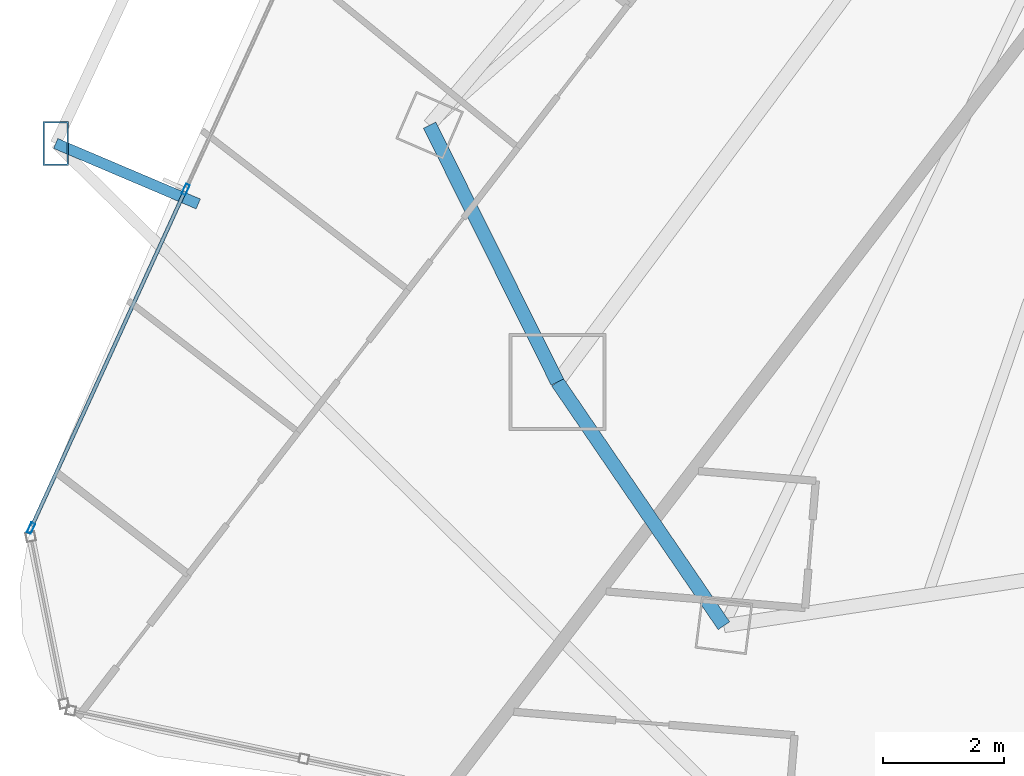
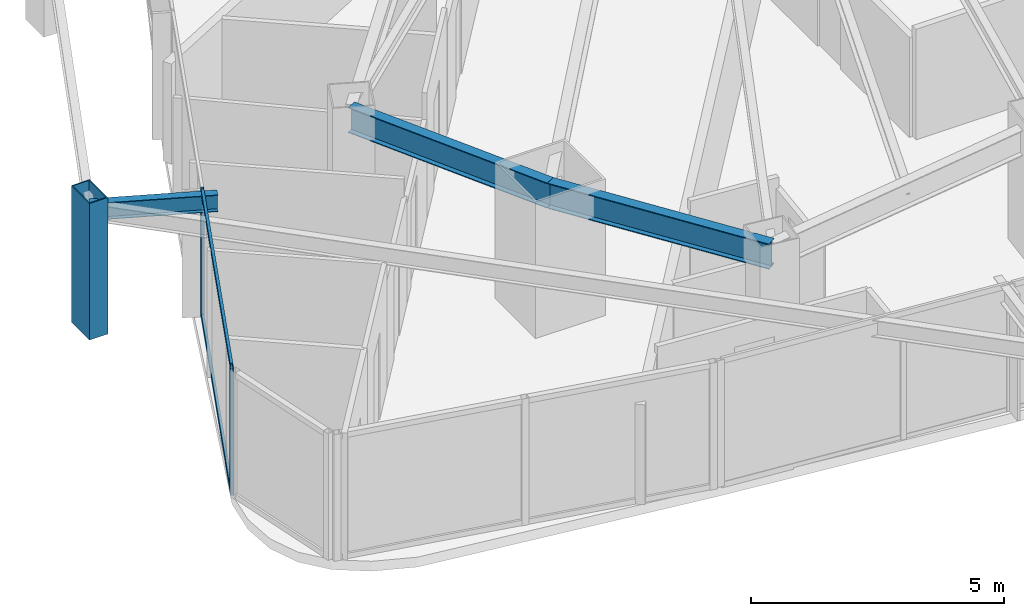
# One storey, part 5 of 34: 5 members, 3 beams, 1 element without a shape of its own.
"""IFC4 building model written with IfcOpenShell, lengths in metres."""

import ifcopenshell
import ifcopenshell.guid

model = None  # the IFC model being written
_history = None  # IfcOwnerHistory: only IFC2X3 demands one
_inside = {}  # id of a spatial element -> (the spatial element, [elements in it])
_under = {}  # id of a project, library or spatial element -> (it, [spatial elements below it])
_declared = {}  # id of a project -> (the project, [libraries it declares])
_typed = {}  # id of a type object -> (the type object, [elements of that type])
_made_of = {}  # id of a material, layer set ... -> (it, [elements and type objects made of it])


def new_model(schema):
    """Start an empty IFC model of exactly this schema.

    Asked for "IFC4X3", IfcOpenShell would pick the latest addendum, in which some entities
    have other attributes; the version numbers below select the first issue.
    IFC2X3 requires an IfcOwnerHistory on every rooted entity: one is made here for all.
    """
    global model, _history
    if schema == "IFC4X3":
        model = ifcopenshell.file(schema_version=(4, 3, 0, 0))
    else:
        model = ifcopenshell.file(schema=schema)
    _inside.clear()
    _under.clear()
    _declared.clear()
    _typed.clear()
    _made_of.clear()
    _history = None
    if model.schema == "IFC2X3":
        org = make("IfcOrganization", Name="unknown")
        user = make(
            "IfcPersonAndOrganization",
            ThePerson=make("IfcPerson", FamilyName="unknown"),
            TheOrganization=org,
        )
        app = make(
            "IfcApplication",
            ApplicationDeveloper=org,
            Version="unknown",
            ApplicationFullName="unknown",
            ApplicationIdentifier="unknown",
        )
        _history = make(
            "IfcOwnerHistory",
            OwningUser=user,
            OwningApplication=app,
            ChangeAction="ADDED",
            CreationDate=0,
        )
    return model


def make(cls, **values):
    """One entity of the class cls with the attributes given. An attribute that is None is left unset."""
    return model.create_entity(
        cls, **{name: value for name, value in values.items() if value is not None}
    )


def rooted(cls, **values):
    """An entity with a GlobalId (a new one), such as an element, a storey or a relation."""
    return make(cls, GlobalId=ifcopenshell.guid.new(), OwnerHistory=_history, **values)


def si_unit(unit_type, name, prefix=None):
    """IfcSIUnit, for example si_unit("LENGTHUNIT", "METRE", prefix="MILLI")."""
    return make("IfcSIUnit", UnitType=unit_type, Prefix=prefix, Name=name)


def assignment(units):
    """IfcUnitAssignment: the units of a project."""
    return None if units is None else make("IfcUnitAssignment", Units=units)


def point(xyz):
    """IfcCartesianPoint."""
    return None if xyz is None else make("IfcCartesianPoint", Coordinates=xyz)


def direction(xyz):
    """IfcDirection."""
    return None if xyz is None else make("IfcDirection", DirectionRatios=xyz)


def frame(location, z_axis=None, x_axis=None):
    """IfcAxis2Placement3D, a coordinate frame: its origin and axes. An axis left out is left unset."""
    return make(
        "IfcAxis2Placement3D",
        Location=point(location),
        Axis=direction(z_axis),
        RefDirection=direction(x_axis),
    )


def frame_2d(location, x_axis=None):
    """IfcAxis2Placement2D, a coordinate frame in the plane: its origin and x axis."""
    return make(
        "IfcAxis2Placement2D", Location=point(location), RefDirection=direction(x_axis)
    )


def origin():
    """The frame at (0, 0, 0) with its axes left unset."""
    return frame((0.0, 0.0, 0.0))


def origin_2d():
    """The frame at (0, 0) in the plane with its x axis left unset."""
    return frame_2d((0.0, 0.0))


def place(relative_to, where):
    """IfcLocalPlacement: puts the frame where relative to a parent placement (None: the world)."""
    return make(
        "IfcLocalPlacement", PlacementRelTo=relative_to, RelativePlacement=where
    )


def context(
    kind, dimensions, precision=None, world=None, true_north=None, identifier=None
):
    """IfcGeometricRepresentationContext, for example the 3D "Model" context."""
    return make(
        "IfcGeometricRepresentationContext",
        ContextIdentifier=identifier,
        ContextType=kind,
        CoordinateSpaceDimension=dimensions,
        Precision=precision,
        WorldCoordinateSystem=world,
        TrueNorth=true_north,
    )


def subcontext(parent, identifier, kind, view, scale=None):
    """IfcGeometricRepresentationSubContext, for example "Body" below "Model"."""
    return make(
        "IfcGeometricRepresentationSubContext",
        ContextIdentifier=identifier,
        ContextType=kind,
        ParentContext=parent,
        TargetScale=scale,
        TargetView=view,
    )


def project(units=None, contexts=None):
    """IfcProject with its units and contexts."""
    return rooted(
        "IfcProject",
        Name="project",
        RepresentationContexts=contexts,
        UnitsInContext=assignment(units),
    )


def spatial(cls, under=None, at=None, **own):
    """A site, building, storey or space (cls), placed at a placement, below another one or the project."""
    s = rooted(cls, ObjectPlacement=at, **own)
    if under is not None:
        _under.setdefault(under.id(), (under, []))[1].append(s)
    return s


def profile(cls, at=None, kind="AREA", **sizes):
    """A parametric profile (cls). Its sizes go by their IFC names, for example OverallWidth=200.0."""
    return make(cls, ProfileType=kind, Position=at, **sizes)


def hollow_rectangle(**sizes):
    """IfcRectangleHollowProfileDef."""
    return profile("IfcRectangleHollowProfileDef", **sizes)


def i_section(**sizes):
    """IfcIShapeProfileDef."""
    return profile("IfcIShapeProfileDef", **sizes)


def extrude(swept, where, along, depth):
    """IfcExtrudedAreaSolid: the profile swept, set in the frame where, extruded along a direction by depth."""
    return make(
        "IfcExtrudedAreaSolid",
        SweptArea=swept,
        Position=where,
        ExtrudedDirection=direction(along),
        Depth=depth,
    )


def shape(context_of_items, identifier, shape_type, items):
    """IfcShapeRepresentation: the items that make up one representation, for example the "Body"."""
    return make(
        "IfcShapeRepresentation",
        ContextOfItems=context_of_items,
        RepresentationIdentifier=identifier,
        RepresentationType=shape_type,
        Items=items,
    )


def material(Name=None, Category=None):
    """IfcMaterial."""
    return make("IfcMaterial", Name=Name, Category=Category)


def layer(
    of_material, thickness, ventilated=None, Name=None, Category=None, Priority=None
):
    """IfcMaterialLayer: one layer of a wall or slab, of a material (None: an air gap)."""
    return make(
        "IfcMaterialLayer",
        Material=of_material,
        LayerThickness=thickness,
        IsVentilated=ventilated,
        Name=Name,
        Category=Category,
        Priority=Priority,
    )


def layer_set(layers, Name=None):
    """IfcMaterialLayerSet."""
    return make("IfcMaterialLayerSet", MaterialLayers=layers, LayerSetName=Name)


def material_profile(
    of_material, cross_section, Name=None, Category=None, Priority=None
):
    """IfcMaterialProfile: a cross section and its material."""
    return make(
        "IfcMaterialProfile",
        Name=Name,
        Material=of_material,
        Profile=cross_section,
        Priority=Priority,
        Category=Category,
    )


def profile_set(profiles, Name=None, composite=None):
    """IfcMaterialProfileSet."""
    return make(
        "IfcMaterialProfileSet",
        Name=Name,
        MaterialProfiles=profiles,
        CompositeProfile=composite,
    )


def made_of(thing, what):
    """Note that an element or type object is made of a material, layer set ...; save() writes the relation."""
    if what is not None:
        _made_of.setdefault(what.id(), (what, []))[1].append(thing)
    return thing


def type_object(cls, material=None, **own):
    """A type object (cls), such as IfcWallType, which elements share."""
    return made_of(rooted(cls, **own), material)


def element(
    cls,
    number,
    at=None,
    inside=None,
    cuts=None,
    type_object=None,
    material=None,
    context=None,
    identifier="Body",
    shape_type=None,
    held_by="IfcProductDefinitionShape",
    body=None,
    shapes=None,
    **own,
):
    """One element of the class cls, such as IfcWall. Its Tag is "e" and its number.

    at: its placement. inside: the storey or other place that contains it. cuts: it is an
    opening in that element (IfcRelVoidsElement). A single representation is given by context,
    identifier, shape_type and body (its items); several are given by shapes. held_by: the class
    of the entity that holds the representations. save() writes the other relations.
    """
    e = rooted(cls, Tag="e%d" % number, ObjectPlacement=at, **own)
    if body is not None:
        shapes = [shape(context, identifier, shape_type, body)]
    if shapes is not None:
        e.Representation = make(held_by, Representations=shapes)
    if inside is not None:
        _inside.setdefault(inside.id(), (inside, []))[1].append(e)
    if cuts is not None:
        rooted(
            "IfcRelVoidsElement", RelatingBuildingElement=cuts, RelatedOpeningElement=e
        )
    if type_object is not None:
        _typed.setdefault(type_object.id(), (type_object, []))[1].append(e)
    return made_of(e, material)


def aggregate(whole, parts):
    """IfcRelAggregates: a whole, such as a stair, and the parts it consists of."""
    return rooted("IfcRelAggregates", RelatingObject=whole, RelatedObjects=parts)


def save(model, path):
    """Write the relations noted so far, then the file.

    IfcRelAggregates (storeys below a building ...), IfcRelContainedInSpatialStructure (elements
    in a storey), IfcRelDefinesByType, IfcRelAssociatesMaterial and IfcRelDeclares: one each for
    every whole, place, type object, material and project.
    """
    for whole, parts in _under.values():
        aggregate(whole, parts)
    for where, things in _inside.values():
        rooted(
            "IfcRelContainedInSpatialStructure",
            RelatedElements=things,
            RelatingStructure=where,
        )
    for kind, things in _typed.values():
        rooted("IfcRelDefinesByType", RelatedObjects=things, RelatingType=kind)
    for what, things in _made_of.values():
        rooted("IfcRelAssociatesMaterial", RelatedObjects=things, RelatingMaterial=what)
    for by, libraries in _declared.values():
        rooted("IfcRelDeclares", RelatingContext=by, RelatedDefinitions=libraries)
    model.write(path)


model = new_model("IFC4")

# Units and contexts
model_context = context("Model", 3, precision=1e-05, world=origin(), true_north=direction((0.0, 1.0)))
body_context = subcontext(model_context, "Body", "Model", "MODEL_VIEW")
ifc_project = project(units=[si_unit("LENGTHUNIT", "METRE"), si_unit("AREAUNIT", "SQUARE_METRE"), si_unit("VOLUMEUNIT", "CUBIC_METRE"), si_unit("PLANEANGLEUNIT", "RADIAN"), si_unit("MASSUNIT", "GRAM", prefix="KILO")], contexts=[model_context])

# Site, building, storey
site_placement = place(None, origin())
site = spatial("IfcSite", under=ifc_project, at=site_placement, CompositionType="ELEMENT")
building_placement = place(site_placement, origin())
building = spatial("IfcBuilding", under=site, at=building_placement, Name="Orvanel Arch Residences", CompositionType="ELEMENT")
storey_placement = place(building_placement, frame((0.0, 0.0, 74.14990234375)))
storey = spatial("IfcBuildingStorey", under=building, at=storey_placement, Name="L20", CompositionType="ELEMENT", Elevation=74.14990234375)

# Member
ifc_material_1 = material(Name="Structural steel AS/NZS 3678 Grade 350", Category="steel")
ifc_material_profile_1 = material_profile(ifc_material_1, hollow_rectangle(XDim=0.419921875, YDim=0.719970703125, WallThickness=0.02490234375, at=origin_2d()), Name="RHS720x420x25")
ifc_profile_set_1 = profile_set([ifc_material_profile_1], Name="Structural steel AS/NZS 3678 Grade 350")
member_type_1 = type_object("IfcMemberType", Name="CH-720RHS-EXT", PredefinedType="CHORD", material=ifc_profile_set_1)
member_1_placement = place(storey_placement, frame((5.93896484375, 14.279052734375, 0.0), z_axis=(0.0, 0.0, 1.0), x_axis=(1.0, 0.0, 0.0)))
element("IfcMember", 1, at=member_1_placement, inside=storey, type_object=member_type_1, Name="L20 Outer Perimeter Frame Post 04", PredefinedType="CHORD", context=body_context, shape_type="SweptSolid", body=[
    extrude(hollow_rectangle(XDim=0.419921875, YDim=0.719970703125, WallThickness=0.02490234375, at=origin_2d()), origin(), (0.0, 0.0, 1.0), 3.300048828125),
])

# Curtain wall, members
ifc_material_2 = material(Name="Bronze-anodised aluminium AA6063-T6", Category="aluminium")
ifc_layer = layer(ifc_material_2, 0.179931640625)
ifc_layer_set = layer_set([ifc_layer], Name="Bronze-anodised aluminium AA6063-T6")
curtain_wall_type = type_object("IfcCurtainWallType", Name="CW2-LOW-SYS", PredefinedType="NOTDEFINED", material=ifc_layer_set)
curtain_wall_placement = place(storey_placement, origin())
curtain_wall = element("IfcCurtainWall", 2, at=curtain_wall_placement, inside=storey, type_object=curtain_wall_type, Name="L20 CW2-LOW-SYS Unitised Curtain Wall", PredefinedType="NOTDEFINED")
ifc_material_profile_2 = material_profile(ifc_material_2, hollow_rectangle(XDim=0.070068359375, YDim=0.179931640625, WallThickness=0.00439453125, at=origin_2d()), Name="ALU180x70x4.5")
ifc_profile_set_2 = profile_set([ifc_material_profile_2], Name="Bronze-anodised aluminium AA6063-T6")
member_type_2 = type_object("IfcMemberType", Name="MUL-180x70", PredefinedType="MULLION", material=ifc_profile_set_2)
member_2_placement = place(storey_placement, frame((8.079345703125, 13.52197265625, 0.0), z_axis=(0.0, 0.0, 1.0), x_axis=(0.909616944848, -0.415447967434, 0.0)))
member_2 = element("IfcMember", 3, at=member_2_placement, type_object=member_type_2, Name="CW-S2 mullion 3", PredefinedType="MULLION", context=body_context, shape_type="SweptSolid", body=[
    extrude(hollow_rectangle(XDim=0.070068359375, YDim=0.179931640625, WallThickness=0.00439453125, at=origin_2d()), origin(), (0.0, 0.0, 1.0), 3.06005859375),
])
member_3_placement = place(storey_placement, frame((5.532470703125, 7.94580078125, 0.0), z_axis=(0.0, 0.0, 1.0), x_axis=(0.909616944848, -0.415447967434, 0.0)))
member_3 = element("IfcMember", 4, at=member_3_placement, type_object=member_type_2, Name="CW-S2 mullion 4", PredefinedType="MULLION", context=body_context, shape_type="SweptSolid", body=[
    extrude(hollow_rectangle(XDim=0.070068359375, YDim=0.179931640625, WallThickness=0.00439453125, at=origin_2d()), origin(), (0.0, 0.0, 1.0), 3.06005859375),
])

# Beams
ifc_material_3 = material(Name="Structural steel AS/NZS 3679.1 Grade 300 (300 MPa)", Category="steel")
ifc_material_profile_3 = material_profile(ifc_material_3, i_section(OverallWidth=0.177978515625, OverallDepth=0.406005859375, WebThickness=0.0078125, FlangeThickness=0.0126953125, at=origin_2d()), Name="410UB59.7")
ifc_profile_set_3 = profile_set([ifc_material_profile_3], Name="Structural steel AS/NZS 3679.1 Grade 300 (300 MPa)")
beam_type_1 = type_object("IfcBeamType", Name="OB-410UB-EXT", PredefinedType="SPANDREL", material=ifc_profile_set_3)
beam_1_placement = place(storey_placement, frame((8.285888671875, 13.282958984375, 2.857177734375), z_axis=(-0.920521260738, 0.39069247309, 0.0), x_axis=(-0.39069247309, -0.920521260738, 0.0)))
element("IfcBeam", 5, at=beam_1_placement, inside=storey, type_object=beam_type_1, Name="L20 Outer Frame Radial Tie Beam 04", PredefinedType="SPANDREL", context=body_context, shape_type="SweptSolid", body=[
    extrude(i_section(OverallWidth=0.177978515625, OverallDepth=0.406005859375, WebThickness=0.0078125, FlangeThickness=0.0126953125, at=origin_2d()), origin(), (0.0, 0.0, 1.0), 2.549560546875),
])
ifc_material_profile_4 = material_profile(ifc_material_3, i_section(OverallWidth=0.22900390625, OverallDepth=0.612060546875, WebThickness=0.011962890625, FlangeThickness=0.01953125, at=origin_2d()), Name="610UB125")
ifc_profile_set_4 = profile_set([ifc_material_profile_4], Name="Structural steel AS/NZS 3679.1 Grade 300 (300 MPa)")
beam_type_2 = type_object("IfcBeamType", Name="SP-610UB", PredefinedType="SPANDREL", material=ifc_profile_set_4)
beam_2_placement = place(storey_placement, frame((12.094970703125, 14.580078125, 2.754150390625), z_axis=(0.44543469453, -0.895314432425, 0.0), x_axis=(0.895314432425, 0.44543469453, 0.0)))
element("IfcBeam", 6, at=beam_2_placement, inside=storey, type_object=beam_type_2, Name="L20 Perimeter Spandrel Beam 02", PredefinedType="SPANDREL", context=body_context, shape_type="SweptSolid", body=[
    extrude(i_section(OverallWidth=0.22900390625, OverallDepth=0.612060546875, WebThickness=0.011962890625, FlangeThickness=0.01953125, at=origin_2d()), origin(), (0.0, 0.0, 1.0), 4.723388671875),
])
beam_3_placement = place(storey_placement, frame((14.198974609375, 10.35107421875, 2.754150390625), z_axis=(0.564251579852, -0.825602903722, 0.0), x_axis=(0.825602903722, 0.564251579852, 0.0)))
element("IfcBeam", 7, at=beam_3_placement, inside=storey, type_object=beam_type_2, Name="L20 Perimeter Spandrel Beam 03", PredefinedType="SPANDREL", context=body_context, shape_type="SweptSolid", body=[
    extrude(i_section(OverallWidth=0.22900390625, OverallDepth=0.612060546875, WebThickness=0.011962890625, FlangeThickness=0.01953125, at=origin_2d()), origin(), (0.0, 0.0, 1.0), 4.859375),
])

# Member
ifc_material_profile_5 = material_profile(ifc_material_2, hollow_rectangle(XDim=0.06005859375, YDim=0.135009765625, WallThickness=0.00390625, at=origin_2d()), Name="ALU135x60x4")
ifc_profile_set_5 = profile_set([ifc_material_profile_5], Name="Bronze-anodised aluminium AA6063-T6")
member_type_3 = type_object("IfcMemberType", Name="TRN-135x60", PredefinedType="USERDEFINED", material=ifc_profile_set_5)
member_4_placement = place(storey_placement, frame((8.064697265625, 13.490234375, 0.030029296875), z_axis=(-0.415432220191, -0.909624136898, 0.0), x_axis=(0.909624136898, -0.415432220191, 0.0)))
member_4 = element("IfcMember", 8, at=member_4_placement, type_object=member_type_3, Name="CW-S2 transom 3.1", ObjectType="TRANSOM", PredefinedType="USERDEFINED", context=body_context, shape_type="SweptSolid", body=[
    extrude(hollow_rectangle(XDim=0.06005859375, YDim=0.135009765625, WallThickness=0.00390625, at=origin_2d()), origin(), (0.0, 0.0, 1.0), 6.06005859375),
])

member_5_placement = place(storey_placement, frame((8.064697265625, 13.490234375, 3.030029296875), z_axis=(-0.415432220191, -0.909624136898, 0.0), x_axis=(0.909624136898, -0.415432220191, 0.0)))
member_5 = element("IfcMember", 9, at=member_5_placement, type_object=member_type_3, Name="CW-S2 transom 3.2", ObjectType="TRANSOM", PredefinedType="USERDEFINED", context=body_context, shape_type="SweptSolid", body=[
    extrude(hollow_rectangle(XDim=0.06005859375, YDim=0.135009765625, WallThickness=0.00390625, at=origin_2d()), origin(), (0.0, 0.0, 1.0), 6.06005859375),
])

aggregate(curtain_wall, [member_2, member_3, member_4, member_5])

save(model, "model.ifc")
